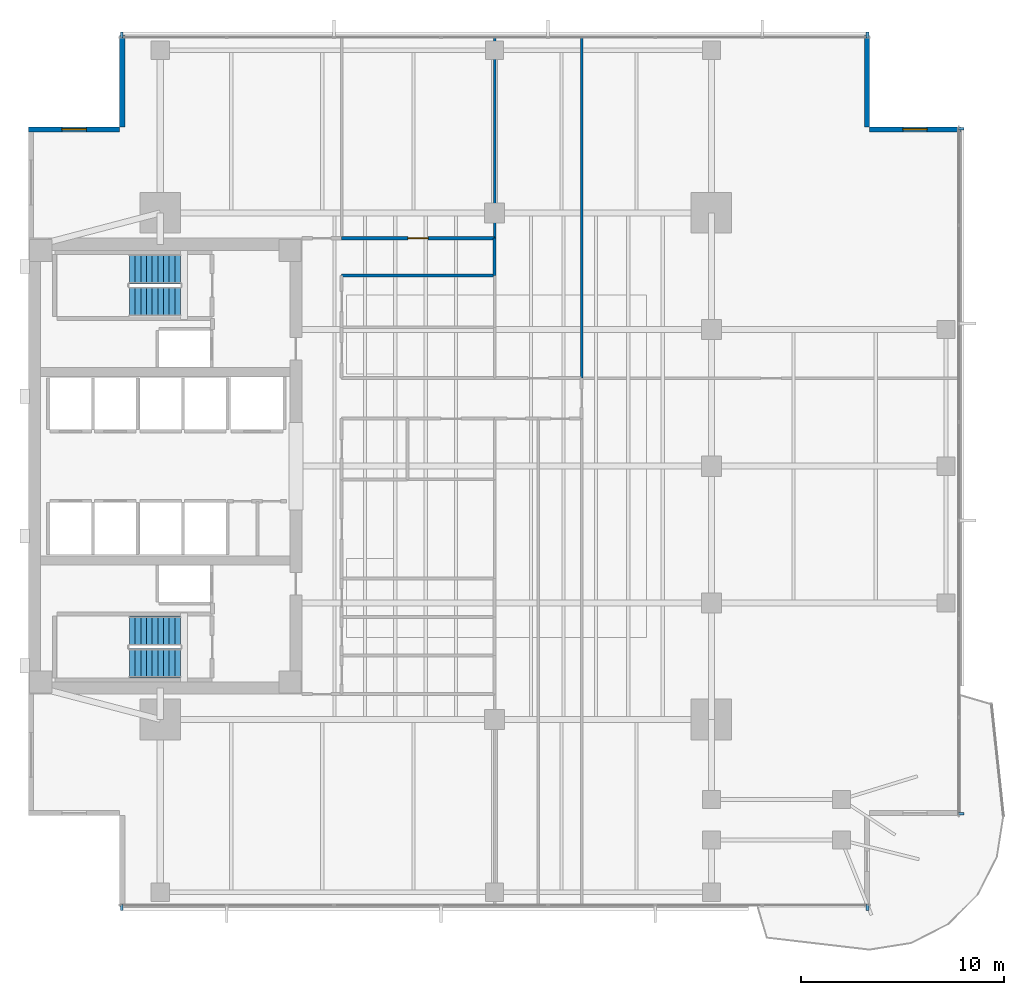
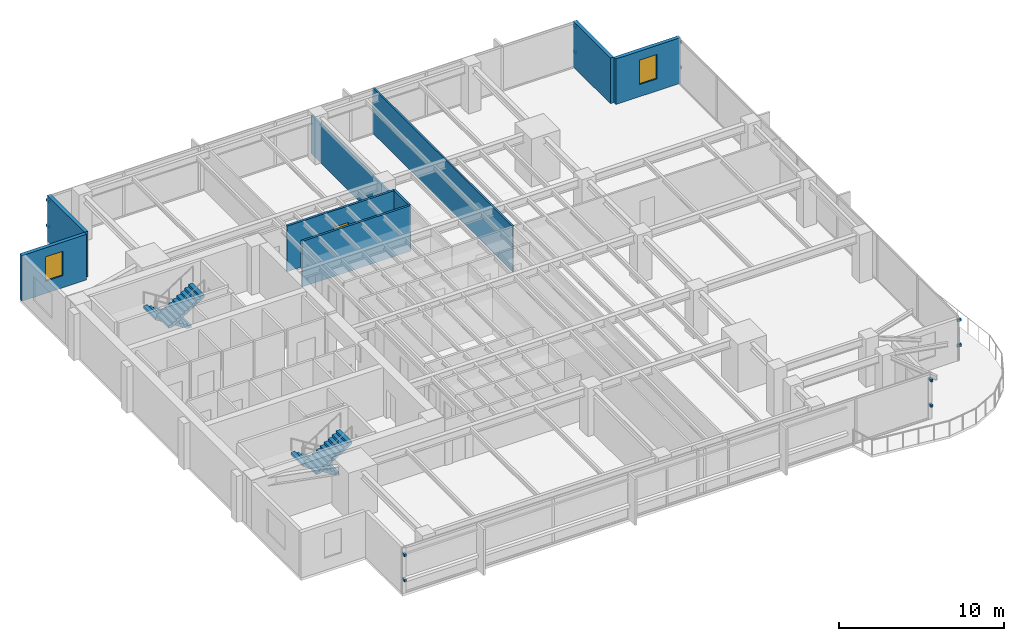
# One storey, part 10 of 14: 12 discrete accessories, 9 walls, 4 stair flights, 2 windows, 1 door, 3 openings, 2 elements without a shape of their own.
"""IFC4 building model written with IfcOpenShell, lengths in metres."""

from ifc_helpers import new_model, si_unit, direction, frame, frame_2d, origin, origin_2d, place, context, subcontext, project, spatial, polyline, rectangle, outline, extrude, material, layer, layer_set, type_object, element, fill, aggregate, save


model = new_model("IFC4")

# Units and contexts
model_context = context("Model", 3, precision=1e-05, world=origin(), true_north=direction((0.0, 1.0)))
body_context = subcontext(model_context, "Body", "Model", "MODEL_VIEW")
ifc_project = project(units=[si_unit("LENGTHUNIT", "METRE"), si_unit("AREAUNIT", "SQUARE_METRE"), si_unit("VOLUMEUNIT", "CUBIC_METRE"), si_unit("PLANEANGLEUNIT", "RADIAN"), si_unit("MASSUNIT", "GRAM", prefix="KILO")], contexts=[model_context])

# Site, building, storey
site_placement = place(None, origin())
site = spatial("IfcSite", under=ifc_project, at=site_placement, CompositionType="ELEMENT")
building_placement = place(site_placement, origin())
building = spatial("IfcBuilding", under=site, at=building_placement, Name="Kinhvarn Gate Tower", CompositionType="ELEMENT")
storey_placement = place(building_placement, frame((0.0, 0.0, 159.050048828125)))
storey = spatial("IfcBuildingStorey", under=building, at=storey_placement, Name="L42", CompositionType="ELEMENT", Elevation=159.050048828125)

# Wall, opening, window
ifc_material_1 = material(Name="Fired architectural terracotta", Category="masonry")
ifc_layer_1 = layer(ifc_material_1, 0.25)
ifc_layer_set_1 = layer_set([ifc_layer_1], Name="Fired architectural terracotta")
wall_type_1 = type_object("IfcWallType", Name="WL-EXT-250", PredefinedType="SOLIDWALL", material=ifc_layer_set_1)
wall_1_placement = place(storey_placement, frame((50.5, 41.875, 0.0), z_axis=(0.0, 0.0, 1.0), x_axis=(-1.0, 0.0, 0.0)))
wall_1 = element("IfcWall", 1, at=wall_1_placement, inside=storey, type_object=wall_type_1, Name="Exterior Solidwall Wall EW-250 (L42 NE-Notch-1)", PredefinedType="SOLIDWALL", context=body_context, shape_type="SweptSolid", body=[
    extrude(rectangle(XDim=4.5, YDim=0.25, at=frame_2d((2.25, 0.0))), origin(), (0.0, 0.0, 1.0), 3.369873046875),
])
opening_1_placement = place(wall_1_placement, frame((1.64990234375, 0.0, 0.89990234375)))
opening_1 = element("IfcOpeningElement", 2, at=opening_1_placement, cuts=wall_1, Name="Opening WN-02", PredefinedType="OPENING", context=body_context, shape_type="SweptSolid", body=[
    extrude(rectangle(XDim=1.199951171875, YDim=1.800048828125, at=frame_2d((0.60009765625, 0.89990234375))), frame((0.0, 0.135009765625, 0.0), z_axis=(0.0, -1.0, 0.0), x_axis=(1.0, 0.0, 0.0)), (0.0, 0.0, 1.0), 0.27001953125),
])
ifc_material_2 = material(Name="Clear low-e double glazing", Category="glass")
window_type = type_object("IfcWindowType", Name="WIN-NTC-1200", PartitioningType="SINGLE_PANEL", PredefinedType="WINDOW", material=ifc_material_2)
window_1_placement = place(opening_1_placement, origin())
window_1 = element("IfcWindow", 3, at=window_1_placement, inside=storey, type_object=window_type, Name="Recessed Corner Notch Punched Window 1200x1800 mm (L42)", OverallHeight=1.800048828125, OverallWidth=1.199951171875, PartitioningType="SINGLE_PANEL", PredefinedType="WINDOW", context=body_context, shape_type="SweptSolid", body=[
    extrude(rectangle(XDim=1.199951171875, YDim=1.800048828125, at=frame_2d((0.60009765625, 0.89990234375))), frame((0.0, 0.030029296875, 0.0), z_axis=(0.0, -1.0, 0.0), x_axis=(1.0, 0.0, 0.0)), (0.0, 0.0, 1.0), 0.06005859375),
])
fill(opening_1, window_1)

# Walls
for number, where, z_axis, x_axis, name in (
    (4, (45.875, 42.0, 0.0), (0.0, 0.0, 1.0), (0.0, 1.0, 0.0), "Exterior Solidwall Wall EW-250 (L42 NE-Notch-2)"),
    (5, (9.125, 46.5, 0.0), (0.0, 0.0, 1.0), (0.0, -1.0, 0.0), "Exterior Solidwall Wall EW-250 (L42 NW-Notch-1)"),
):
    element("IfcWall", number, at=place(storey_placement, frame(where, z_axis=z_axis, x_axis=x_axis)), inside=storey, type_object=wall_type_1, Name=name, PredefinedType="SOLIDWALL", context=body_context, shape_type="SweptSolid", body=[
        extrude(rectangle(XDim=4.5, YDim=0.25, at=frame_2d((2.25, 0.0))), origin(), (0.0, 0.0, 1.0), 3.369873046875),
    ])

# Wall, opening, window
wall_2_placement = place(storey_placement, frame((9.0, 41.875, 0.0), z_axis=(0.0, 0.0, 1.0), x_axis=(-1.0, 0.0, 0.0)))
wall_2 = element("IfcWall", 6, at=wall_2_placement, inside=storey, type_object=wall_type_1, Name="Exterior Solidwall Wall EW-250 (L42 NW-Notch-2)", PredefinedType="SOLIDWALL", context=body_context, shape_type="SweptSolid", body=[
    extrude(rectangle(XDim=4.5, YDim=0.25, at=frame_2d((2.25, 0.0))), origin(), (0.0, 0.0, 1.0), 3.369873046875),
])
opening_2_placement = place(wall_2_placement, frame((1.64990234375, 0.0, 0.89990234375)))
opening_2 = element("IfcOpeningElement", 7, at=opening_2_placement, cuts=wall_2, Name="Opening WN-02", PredefinedType="OPENING", context=body_context, shape_type="SweptSolid", body=[
    extrude(rectangle(XDim=1.199951171875, YDim=1.800048828125, at=frame_2d((0.60009765625, 0.89990234375))), frame((0.0, 0.135009765625, 0.0), z_axis=(0.0, -1.0, 0.0), x_axis=(1.0, 0.0, 0.0)), (0.0, 0.0, 1.0), 0.27001953125),
])
window_2_placement = place(opening_2_placement, origin())
window_2 = element("IfcWindow", 8, at=window_2_placement, inside=storey, type_object=window_type, Name="Recessed Corner Notch Punched Window 1200x1800 mm (L42)", OverallHeight=1.800048828125, OverallWidth=1.199951171875, PartitioningType="SINGLE_PANEL", PredefinedType="WINDOW", context=body_context, shape_type="SweptSolid", body=[
    extrude(rectangle(XDim=1.199951171875, YDim=1.800048828125, at=frame_2d((0.60009765625, 0.89990234375))), frame((0.0, 0.030029296875, 0.0), z_axis=(0.0, -1.0, 0.0), x_axis=(1.0, 0.0, 0.0)), (0.0, 0.0, 1.0), 0.06005859375),
])
fill(opening_2, window_2)

# Walls
ifc_material_3 = material(Name="Gypsum acoustic partition board")
ifc_layer_2 = layer(ifc_material_3, 0.1201171875)
ifc_layer_set_2 = layer_set([ifc_layer_2], Name="Gypsum acoustic partition board")
wall_type_2 = type_object("IfcWallType", Name="WL-PRT-120", PredefinedType="PARTITIONING", material=ifc_layer_set_2)
wall_3_placement = place(storey_placement, frame((27.5, 36.5, 0.0), z_axis=(0.0, 0.0, 1.0), x_axis=(0.0, 1.0, 0.0)))
element("IfcWall", 9, at=wall_3_placement, inside=storey, type_object=wall_type_2, Name="Interior Partition PW-120 (L42)", PredefinedType="PARTITIONING", context=body_context, shape_type="SweptSolid", body=[
    extrude(rectangle(XDim=9.989990234375, YDim=0.1201171875, at=frame_2d((4.9951171875, 0.0))), origin(), (0.0, 0.0, 1.0), 2.869873046875),
])
wall_4_placement = place(storey_placement, frame((31.800048828125, 29.60009765625, 0.0), z_axis=(0.0, 0.0, 1.0), x_axis=(0.0, 1.0, 0.0)))
element("IfcWall", 10, at=wall_4_placement, inside=storey, type_object=wall_type_2, Name="Interior Partition PW-120 (L42)", PredefinedType="PARTITIONING", context=body_context, shape_type="SweptSolid", body=[
    extrude(rectangle(XDim=16.889892578125, YDim=0.1201171875, at=frame_2d((8.44482421875, 0.0))), origin(), (0.0, 0.0, 1.0), 3.369873046875),
])
ifc_layer_3 = layer(ifc_material_3, 0.14990234375)
ifc_layer_set_3 = layer_set([ifc_layer_3], Name="Gypsum acoustic partition board")
wall_type_3 = type_object("IfcWallType", Name="WL-PRT-150F", PredefinedType="PARTITIONING", material=ifc_layer_set_3)
wall_5_placement = place(storey_placement, frame((19.949951171875, 34.64990234375, 0.0), z_axis=(0.0, 0.0, 1.0), x_axis=(1.0, 0.0, 0.0)))
element("IfcWall", 11, at=wall_5_placement, inside=storey, type_object=wall_type_3, Name="Interior Partition PW-150F (L42)", PredefinedType="PARTITIONING", context=body_context, shape_type="SweptSolid", body=[
    extrude(rectangle(XDim=7.550048828125, YDim=0.14990234375, at=frame_2d((3.77490234375, 0.0))), origin(), (0.0, 0.0, 1.0), 3.369873046875),
])

# Wall, opening, door
wall_6_placement = place(storey_placement, frame((19.949951171875, 36.5, 0.0), z_axis=(0.0, 0.0, 1.0), x_axis=(1.0, 0.0, 0.0)))
wall_6 = element("IfcWall", 12, at=wall_6_placement, inside=storey, type_object=wall_type_3, Name="Interior Partition PW-150F (L42)", PredefinedType="PARTITIONING", context=body_context, shape_type="SweptSolid", body=[
    extrude(rectangle(XDim=7.550048828125, YDim=0.14990234375, at=frame_2d((3.77490234375, 0.0))), origin(), (0.0, 0.0, 1.0), 3.369873046875),
])
opening_3_placement = place(wall_6_placement, frame((3.27490234375, 0.0, 0.0)))
opening_3 = element("IfcOpeningElement", 13, at=opening_3_placement, cuts=wall_6, Name="Opening ID-02", PredefinedType="OPENING", context=body_context, shape_type="SweptSolid", body=[
    extrude(rectangle(XDim=1.0, YDim=2.14990234375, at=frame_2d((0.5, 1.074951171875))), frame((0.0, 0.0849609375, 0.0), z_axis=(0.0, -1.0, 0.0), x_axis=(1.0, 0.0, 0.0)), (0.0, 0.0, 1.0), 0.169921875),
])
ifc_material_4 = material(Name="Anodised aluminium AW-6063", Category="aluminium")
door_type = type_object("IfcDoorType", Name="DR-INT-1000", OperationType="NOTDEFINED", PredefinedType="DOOR", material=ifc_material_4)
door_placement = place(opening_3_placement, origin())
door = element("IfcDoor", 14, at=door_placement, inside=storey, type_object=door_type, Name="Standard Office & Meeting Room Door 1000x2150 mm (L42)", OperationType="SINGLE_SWING_LEFT", OverallHeight=2.14990234375, OverallWidth=1.0, PredefinedType="DOOR", context=body_context, shape_type="SweptSolid", body=[
    extrude(rectangle(XDim=1.0, YDim=2.14990234375, at=frame_2d((0.5, 1.074951171875))), frame((0.0, 0.02490234375, 0.0), z_axis=(0.0, -1.0, 0.0), x_axis=(1.0, 0.0, 0.0)), (0.0, 0.0, 1.0), 0.050048828125),
])
fill(opening_3, door)

# Wall
wall_7_placement = place(storey_placement, frame((27.5, 34.64990234375, 0.0), z_axis=(0.0, 0.0, 1.0), x_axis=(0.0, 1.0, 0.0)))
element("IfcWall", 15, at=wall_7_placement, inside=storey, type_object=wall_type_3, Name="Interior Partition PW-150F (L42)", PredefinedType="PARTITIONING", context=body_context, shape_type="SweptSolid", body=[
    extrude(rectangle(XDim=1.85009765625, YDim=0.14990234375, at=frame_2d((0.925048828125, 0.0))), origin(), (0.0, 0.0, 1.0), 3.369873046875),
])

# Stair, stair flights
ifc_material_5 = material(Name="Concrete C40/50", Category="concrete")
stair_type = type_object("IfcStairType", Name="STR-DLG-177", PredefinedType="HALF_TURN_STAIR", material=ifc_material_5)
stair_1_placement = place(storey_placement, origin())
stair_1 = element("IfcStair", 16, at=stair_1_placement, inside=storey, type_object=stair_type, Name="L42 Core Smokeproof Exit Stair ST1", PredefinedType="HALF_TURN_STAIR")
stair_flight_type = type_object("IfcStairFlightType", Name="STF-DLG-177", PredefinedType="STRAIGHT", material=ifc_material_5)
stair_flight_1_placement = place(storey_placement, frame((12.0, 17.125, 0.0), z_axis=(0.0, 0.0, 1.0), x_axis=(-1.0, 0.0, 0.0)))
stair_flight_1 = element("IfcStairFlight", 17, at=stair_flight_1_placement, type_object=stair_flight_type, Name="ST1 flight 1", NumberOfRisers=10, NumberOfTreads=9, PredefinedType="STRAIGHT", RiserHeight=0.1775, TreadLength=0.28, context=body_context, shape_type="SweptSolid", body=[
    extrude(outline(polyline([(0.0, 0.0), (0.0, 0.177490234375), (0.280029296875, 0.177490234375), (0.280029296875, 0.35498046875), (0.56005859375, 0.35498046875), (0.56005859375, 0.532470703125), (0.840087890625, 0.532470703125), (0.840087890625, 0.7099609375), (1.1201171875, 0.7099609375), (1.1201171875, 0.887451171875), (1.39990234375, 0.887451171875), (1.39990234375, 1.06494140625), (1.679931640625, 1.06494140625), (1.679931640625, 1.242431640625), (1.9599609375, 1.242431640625), (1.9599609375, 1.419921875), (2.239990234375, 1.419921875), (2.239990234375, 1.597412109375), (2.52001953125, 1.597412109375), (2.52001953125, 1.77490234375), (2.52001953125, 1.419921875), (0.280029296875, 0.0), (0.0, 0.0)])), frame((0.0, 0.72509765625, 0.0), z_axis=(0.0, -1.0, 0.0), x_axis=(1.0, 0.0, 0.0)), (0.0, 0.0, 1.0), 1.449951171875),
])
stair_flight_2_placement = place(storey_placement, frame((9.47998046875, 15.52490234375, 1.77490234375), z_axis=(0.0, 0.0, 1.0), x_axis=(1.0, 0.0, 0.0)))
stair_flight_2 = element("IfcStairFlight", 18, at=stair_flight_2_placement, type_object=stair_flight_type, Name="ST1 flight 2", NumberOfRisers=10, NumberOfTreads=9, PredefinedType="STRAIGHT", RiserHeight=0.1775, TreadLength=0.28, context=body_context, shape_type="SweptSolid", body=[
    extrude(outline(polyline([(0.0, 0.0), (0.0, 0.177490234375), (0.280029296875, 0.177490234375), (0.280029296875, 0.35498046875), (0.56005859375, 0.35498046875), (0.56005859375, 0.532470703125), (0.840087890625, 0.532470703125), (0.840087890625, 0.7099609375), (1.1201171875, 0.7099609375), (1.1201171875, 0.887451171875), (1.39990234375, 0.887451171875), (1.39990234375, 1.06494140625), (1.679931640625, 1.06494140625), (1.679931640625, 1.242431640625), (1.9599609375, 1.242431640625), (1.9599609375, 1.419921875), (2.239990234375, 1.419921875), (2.239990234375, 1.597412109375), (2.52001953125, 1.597412109375), (2.52001953125, 1.77490234375), (2.52001953125, 1.419921875), (0.280029296875, 0.0), (0.0, 0.0)])), frame((0.0, 0.72509765625, 0.0), z_axis=(0.0, -1.0, 0.0), x_axis=(1.0, 0.0, 0.0)), (0.0, 0.0, 1.0), 1.449951171875),
])
aggregate(stair_1, [stair_flight_1, stair_flight_2])

stair_2_placement = place(storey_placement, origin())
stair_2 = element("IfcStair", 19, at=stair_2_placement, inside=storey, type_object=stair_type, Name="L42 Core Smokeproof Exit Stair ST2", PredefinedType="HALF_TURN_STAIR")
stair_flight_3_placement = place(storey_placement, frame((12.0, 34.97509765625, 0.0), z_axis=(0.0, 0.0, 1.0), x_axis=(-1.0, 0.0, 0.0)))
stair_flight_3 = element("IfcStairFlight", 20, at=stair_flight_3_placement, type_object=stair_flight_type, Name="ST2 flight 1", NumberOfRisers=10, NumberOfTreads=9, PredefinedType="STRAIGHT", RiserHeight=0.1775, TreadLength=0.28, context=body_context, shape_type="SweptSolid", body=[
    extrude(outline(polyline([(0.0, 0.0), (0.0, 0.177490234375), (0.280029296875, 0.177490234375), (0.280029296875, 0.35498046875), (0.56005859375, 0.35498046875), (0.56005859375, 0.532470703125), (0.840087890625, 0.532470703125), (0.840087890625, 0.7099609375), (1.1201171875, 0.7099609375), (1.1201171875, 0.887451171875), (1.39990234375, 0.887451171875), (1.39990234375, 1.06494140625), (1.679931640625, 1.06494140625), (1.679931640625, 1.242431640625), (1.9599609375, 1.242431640625), (1.9599609375, 1.419921875), (2.239990234375, 1.419921875), (2.239990234375, 1.597412109375), (2.52001953125, 1.597412109375), (2.52001953125, 1.77490234375), (2.52001953125, 1.419921875), (0.280029296875, 0.0), (0.0, 0.0)])), frame((0.0, 0.72509765625, 0.0), z_axis=(0.0, -1.0, 0.0), x_axis=(1.0, 0.0, 0.0)), (0.0, 0.0, 1.0), 1.449951171875),
])
stair_flight_4_placement = place(storey_placement, frame((9.47998046875, 33.375, 1.77490234375), z_axis=(0.0, 0.0, 1.0), x_axis=(1.0, 0.0, 0.0)))
stair_flight_4 = element("IfcStairFlight", 21, at=stair_flight_4_placement, type_object=stair_flight_type, Name="ST2 flight 2", NumberOfRisers=10, NumberOfTreads=9, PredefinedType="STRAIGHT", RiserHeight=0.1775, TreadLength=0.28, context=body_context, shape_type="SweptSolid", body=[
    extrude(outline(polyline([(0.0, 0.0), (0.0, 0.177490234375), (0.280029296875, 0.177490234375), (0.280029296875, 0.35498046875), (0.56005859375, 0.35498046875), (0.56005859375, 0.532470703125), (0.840087890625, 0.532470703125), (0.840087890625, 0.7099609375), (1.1201171875, 0.7099609375), (1.1201171875, 0.887451171875), (1.39990234375, 0.887451171875), (1.39990234375, 1.06494140625), (1.679931640625, 1.06494140625), (1.679931640625, 1.242431640625), (1.9599609375, 1.242431640625), (1.9599609375, 1.419921875), (2.239990234375, 1.419921875), (2.239990234375, 1.597412109375), (2.52001953125, 1.597412109375), (2.52001953125, 1.77490234375), (2.52001953125, 1.419921875), (0.280029296875, 0.0), (0.0, 0.0)])), frame((0.0, 0.72509765625, 0.0), z_axis=(0.0, -1.0, 0.0), x_axis=(1.0, 0.0, 0.0)), (0.0, 0.0, 1.0), 1.449951171875),
])
aggregate(stair_2, [stair_flight_3, stair_flight_4])

# Discrete accessories
discrete_accessory_type = type_object("IfcDiscreteAccessoryType", Name="ACC-BRK-01", PredefinedType="BRACKET", material=ifc_material_4)
for number, where, z_axis, x_axis, name in (
    (22, (9.10009765625, 3.469970703125, 0.9599609375), (0.0, 0.0, 1.0), (1.0, 0.0, 0.0), "Baguette Support Bracket BK-01 (L42)"),
    (23, (9.10009765625, 3.469970703125, 2.830078125), (0.0, 0.0, 1.0), (1.0, 0.0, 0.0), "Baguette Support Bracket BK-01 (L42)"),
    (24, (45.89990234375, 3.469970703125, 0.9599609375), (0.0, 0.0, 1.0), (1.0, 0.0, 0.0), "Baguette Support Bracket BK-01 (L42)"),
    (25, (45.89990234375, 3.469970703125, 2.830078125), (0.0, 0.0, 1.0), (1.0, 0.0, 0.0), "Baguette Support Bracket BK-01 (L42)"),
    (26, (45.89990234375, 46.530029296875, 0.9599609375), (0.0, 0.0, 1.0), (-1.0, 0.0, 0.0), "Baguette Support Bracket BK-01 (L42)"),
    (27, (45.89990234375, 46.530029296875, 2.830078125), (0.0, 0.0, 1.0), (-1.0, 0.0, 0.0), "Baguette Support Bracket BK-01 (L42)"),
    (28, (9.10009765625, 46.530029296875, 0.9599609375), (0.0, 0.0, 1.0), (-1.0, 0.0, 0.0), "Baguette Support Bracket BK-01 (L42)"),
    (29, (9.10009765625, 46.530029296875, 2.830078125), (0.0, 0.0, 1.0), (-1.0, 0.0, 0.0), "Baguette Support Bracket BK-01 (L42)"),
    (30, (50.530029296875, 8.10009765625, 0.9599609375), (0.0, 0.0, 1.0), (0.0, 1.0, 0.0), "Baguette Support Bracket BK-01 (L42)"),
    (31, (50.530029296875, 8.10009765625, 2.830078125), (0.0, 0.0, 1.0), (0.0, 1.0, 0.0), "Baguette Support Bracket BK-01 (L42)"),
    (32, (50.530029296875, 41.89990234375, 0.9599609375), (0.0, 0.0, 1.0), (0.0, 1.0, 0.0), "Baguette Support Bracket BK-01 (L42)"),
    (33, (50.530029296875, 41.89990234375, 2.830078125), (0.0, 0.0, 1.0), (0.0, 1.0, 0.0), "Baguette Support Bracket BK-01 (L42)"),
):
    element("IfcDiscreteAccessory", number, at=place(storey_placement, frame(where, z_axis=z_axis, x_axis=x_axis)), inside=storey, type_object=discrete_accessory_type, Name=name, PredefinedType="BRACKET", context=body_context, shape_type="SweptSolid", body=[
        extrude(rectangle(XDim=0.139892578125, YDim=0.280029296875, at=origin_2d()), origin(), (0.0, 0.0, 1.0), 0.179931640625),
    ])

save(model, "model.ifc")
